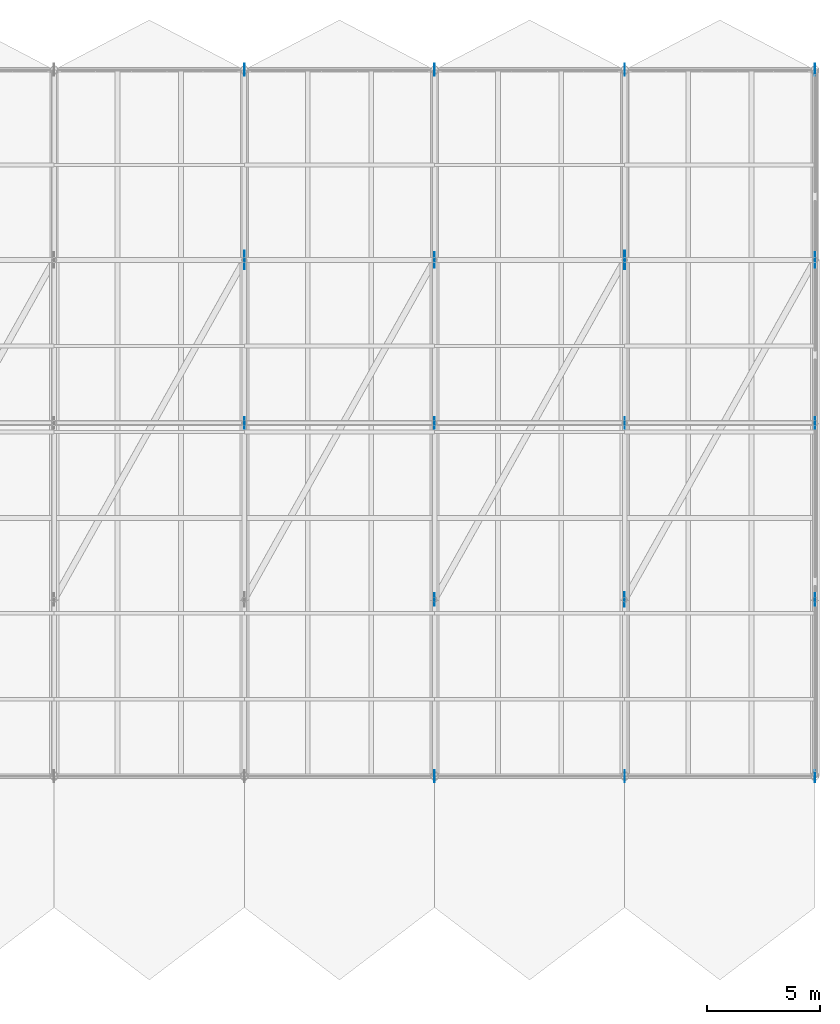
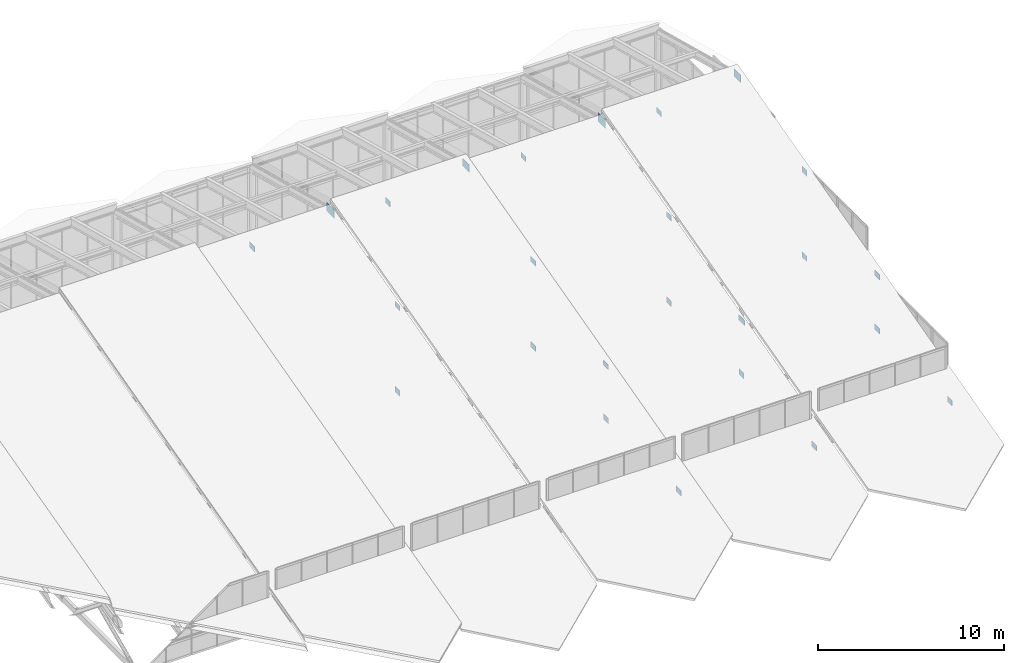
# One storey, part 42 of 43: 28 plates.
"""IFC4 building model written with IfcOpenShell, lengths in metres."""

from ifc_helpers import new_model, si_unit, direction, frame, origin, origin_2d, place, context, subcontext, project, spatial, rectangle, extrude, material, layer, layer_set, type_object, element, save


model = new_model("IFC4")

# Units and contexts
model_context = context("Model", 3, precision=1e-05, world=origin(), true_north=direction((0.0, 1.0)))
body_context = subcontext(model_context, "Body", "Model", "MODEL_VIEW")
ifc_project = project(units=[si_unit("LENGTHUNIT", "METRE"), si_unit("AREAUNIT", "SQUARE_METRE"), si_unit("VOLUMEUNIT", "CUBIC_METRE"), si_unit("PLANEANGLEUNIT", "RADIAN"), si_unit("MASSUNIT", "GRAM", prefix="KILO")], contexts=[model_context])

# Site, building, storey
site_placement = place(None, origin())
site = spatial("IfcSite", under=ifc_project, at=site_placement, CompositionType="ELEMENT")
building_placement = place(site_placement, origin())
building = spatial("IfcBuilding", under=site, at=building_placement, Name="Selat Folded Stagehouse", CompositionType="ELEMENT")
storey_placement = place(building_placement, frame((0.0, 0.0, 32.39990234375)))
storey = spatial("IfcBuildingStorey", under=building, at=storey_placement, Name="RF", CompositionType="ELEMENT", Elevation=32.39990234375)

# Plates
ifc_material = material(Name="Steel S355", Category="steel")
ifc_layer_1 = layer(ifc_material, 0.01806640625)
ifc_layer_set_1 = layer_set([ifc_layer_1], Name="Steel S355")
plate_type_1 = type_object("IfcPlateType", Name="PLT-GUSSET-520x360x18", PredefinedType="USERDEFINED", material=ifc_layer_set_1)
for number, where, z_axis, x_axis, name in (
    (1, (42.0, 39.0, 5.5458984375), (0.0, 0.0, 1.0), (0.0, 1.0, 0.0), "RF RF-WEB-04-P2 end gusset plate 28"),
    (2, (42.0, 39.0, -0.02978515625), (0.0, 0.0, 1.0), (0.0, 1.0, 0.0), "RF RF-WEB-04-P3 end gusset plate 29"),
    (3, (42.0, 54.60009765625, -0.02978515625), (0.0, 0.0, 1.0), (0.0, 1.0, 0.0), "RF RF-WEB-04-P4 end gusset plate 30"),
    (4, (50.39990234375, 23.39990234375, -0.02978515625), (0.0, 0.0, 1.0), (0.0, 1.0, 0.0), "RF RF-WEB-05-P1 end gusset plate 31"),
    (5, (50.39990234375, 31.199951171875, 3.4853515625), (0.0, 0.0, 1.0), (0.0, 1.0, 0.0), "RF RF-WEB-05-P1 end gusset plate 32"),
    (6, (50.39990234375, 31.199951171875, -0.02978515625), (0.0, 0.0, 1.0), (0.0, 1.0, 0.0), "RF RF-WEB-05-P2 end gusset plate 33"),
    (7, (50.39990234375, 39.0, 5.5458984375), (0.0, 0.0, 1.0), (0.0, 1.0, 0.0), "RF RF-WEB-05-P2 end gusset plate 34"),
    (8, (50.39990234375, 39.0, -0.02978515625), (0.0, 0.0, 1.0), (0.0, 1.0, 0.0), "RF RF-WEB-05-P3 end gusset plate 35"),
    (9, (50.39990234375, 54.60009765625, -0.02978515625), (0.0, 0.0, 1.0), (0.0, 1.0, 0.0), "RF RF-WEB-05-P4 end gusset plate 36"),
    (10, (58.800048828125, 23.39990234375, -0.02978515625), (0.0, 0.0, 1.0), (0.0, 1.0, 0.0), "RF RF-WEB-06-P1 end gusset plate 37"),
    (11, (58.800048828125, 31.199951171875, 3.4853515625), (0.0, 0.0, 1.0), (0.0, 1.0, 0.0), "RF RF-WEB-06-P1 end gusset plate 38"),
    (12, (58.800048828125, 31.199951171875, -0.02978515625), (0.0, 0.0, 1.0), (0.0, 1.0, 0.0), "RF RF-WEB-06-P2 end gusset plate 39"),
    (13, (58.800048828125, 39.0, 5.5458984375), (0.0, 0.0, 1.0), (0.0, 1.0, 0.0), "RF RF-WEB-06-P2 end gusset plate 40"),
    (14, (58.800048828125, 39.0, -0.02978515625), (0.0, 0.0, 1.0), (0.0, 1.0, 0.0), "RF RF-WEB-06-P3 end gusset plate 41"),
    (15, (58.800048828125, 54.60009765625, -0.02978515625), (0.0, 0.0, 1.0), (0.0, 1.0, 0.0), "RF RF-WEB-06-P4 end gusset plate 42"),
    (16, (67.199951171875, 23.39990234375, -0.02978515625), (0.0, 0.0, 1.0), (0.0, 1.0, 0.0), "RF RF-WEB-07-P1 end gusset plate 43"),
    (17, (67.199951171875, 31.199951171875, 3.4853515625), (0.0, 0.0, 1.0), (0.0, 1.0, 0.0), "RF RF-WEB-07-P1 end gusset plate 44"),
    (18, (67.199951171875, 31.199951171875, -0.02978515625), (0.0, 0.0, 1.0), (0.0, 1.0, 0.0), "RF RF-WEB-07-P2 end gusset plate 45"),
    (19, (67.199951171875, 39.0, 5.5458984375), (0.0, 0.0, 1.0), (0.0, 1.0, 0.0), "RF RF-WEB-07-P2 end gusset plate 46"),
    (20, (67.199951171875, 39.0, -0.02978515625), (0.0, 0.0, 1.0), (0.0, 1.0, 0.0), "RF RF-WEB-07-P3 end gusset plate 47"),
    (21, (67.199951171875, 54.60009765625, -0.02978515625), (0.0, 0.0, 1.0), (0.0, 1.0, 0.0), "RF RF-WEB-07-P4 end gusset plate 48"),
):
    element("IfcPlate", number, at=place(storey_placement, frame(where, z_axis=z_axis, x_axis=x_axis)), inside=storey, type_object=plate_type_1, Name=name, ObjectType="GUSSET_PLATE", PredefinedType="USERDEFINED", context=body_context, shape_type="SweptSolid", body=[
        extrude(rectangle(XDim=0.52001953125, YDim=0.01806640625, at=origin_2d()), origin(), (0.0, 0.0, 1.0), 0.360107421875),
    ])
ifc_layer_2 = layer(ifc_material, 0.02197265625)
ifc_layer_set_2 = layer_set([ifc_layer_2], Name="Steel S355")
plate_type_2 = type_object("IfcPlateType", Name="PLT-GUSSET-700x480x22", PredefinedType="USERDEFINED", material=ifc_layer_set_2)
for number, where, z_axis, x_axis, name in (
    (22, (50.39990234375, 46.199951171875, 7.387939453125), (0.0, 0.0, 1.0), (1.0, 0.0, 0.0), "Folded-plate ridge gusset plate 6"),
    (23, (67.199951171875, 46.199951171875, 7.387939453125), (0.0, 0.0, 1.0), (1.0, 0.0, 0.0), "Folded-plate ridge gusset plate 8"),
):
    element("IfcPlate", number, at=place(storey_placement, frame(where, z_axis=z_axis, x_axis=x_axis)), inside=storey, type_object=plate_type_2, Name=name, ObjectType="GUSSET_PLATE", PredefinedType="USERDEFINED", context=body_context, shape_type="SweptSolid", body=[
        extrude(rectangle(XDim=0.02197265625, YDim=0.699951171875, at=origin_2d()), origin(), (0.0, 0.0, 1.0), 0.47998046875),
    ])
ifc_layer_3 = layer(ifc_material, 0.02392578125)
ifc_layer_set_3 = layer_set([ifc_layer_3], Name="Steel S355")
plate_type_3 = type_object("IfcPlateType", Name="PLT-GUSSET-800x550x24", PredefinedType="USERDEFINED", material=ifc_layer_set_3)
for number, where, z_axis, x_axis, name in (
    (24, (42.0, 46.199951171875, 7.35302734375), (0.0, 0.0, 1.0), (1.0, 0.0, 0.0), "Folded-plate ridge gusset plate 5"),
    (25, (58.800048828125, 46.199951171875, 7.35302734375), (0.0, 0.0, 1.0), (1.0, 0.0, 0.0), "Folded-plate ridge gusset plate 7"),
):
    element("IfcPlate", number, at=place(storey_placement, frame(where, z_axis=z_axis, x_axis=x_axis)), inside=storey, type_object=plate_type_3, Name=name, ObjectType="GUSSET_PLATE", PredefinedType="USERDEFINED", context=body_context, shape_type="SweptSolid", body=[
        extrude(rectangle(XDim=0.02392578125, YDim=0.800048828125, at=origin_2d()), origin(), (0.0, 0.0, 1.0), 0.550048828125),
    ])
ifc_layer_4 = layer(ifc_material, 0.02001953125)
ifc_layer_set_4 = layer_set([ifc_layer_4], Name="Steel S355")
plate_type_4 = type_object("IfcPlateType", Name="PLT-SPLICE-560x280x20", PredefinedType="USERDEFINED", material=ifc_layer_set_4)
for number, where, z_axis, x_axis, name in (
    (26, (50.39990234375, 31.199951171875, 3.525390625), (0.0, 0.0, 1.0), (1.0, 0.0, 0.0), "Folded-plate rafter splice plate 6"),
    (27, (67.199951171875, 31.199951171875, 3.525390625), (0.0, 0.0, 1.0), (1.0, 0.0, 0.0), "Folded-plate rafter splice plate 8"),
):
    element("IfcPlate", number, at=place(storey_placement, frame(where, z_axis=z_axis, x_axis=x_axis)), inside=storey, type_object=plate_type_4, Name=name, ObjectType="SPLICE_PLATE", PredefinedType="USERDEFINED", context=body_context, shape_type="SweptSolid", body=[
        extrude(rectangle(XDim=0.02001953125, YDim=0.56005859375, at=origin_2d()), origin(), (0.0, 0.0, 1.0), 0.280029296875),
    ])
ifc_layer_5 = layer(ifc_material, 0.02197265625)
ifc_layer_set_5 = layer_set([ifc_layer_5], Name="Steel S355")
plate_type_5 = type_object("IfcPlateType", Name="PLT-SPLICE-650x320x22", PredefinedType="USERDEFINED", material=ifc_layer_set_5)
plate_placement = place(storey_placement, frame((58.800048828125, 31.199951171875, 3.50537109375), z_axis=(0.0, 0.0, 1.0), x_axis=(1.0, 0.0, 0.0)))
element("IfcPlate", 28, at=plate_placement, inside=storey, type_object=plate_type_5, Name="Folded-plate rafter splice plate 7", ObjectType="SPLICE_PLATE", PredefinedType="USERDEFINED", context=body_context, shape_type="SweptSolid", body=[
    extrude(rectangle(XDim=0.02197265625, YDim=0.64990234375, at=origin_2d()), origin(), (0.0, 0.0, 1.0), 0.320068359375),
])

save(model, "model.ifc")
